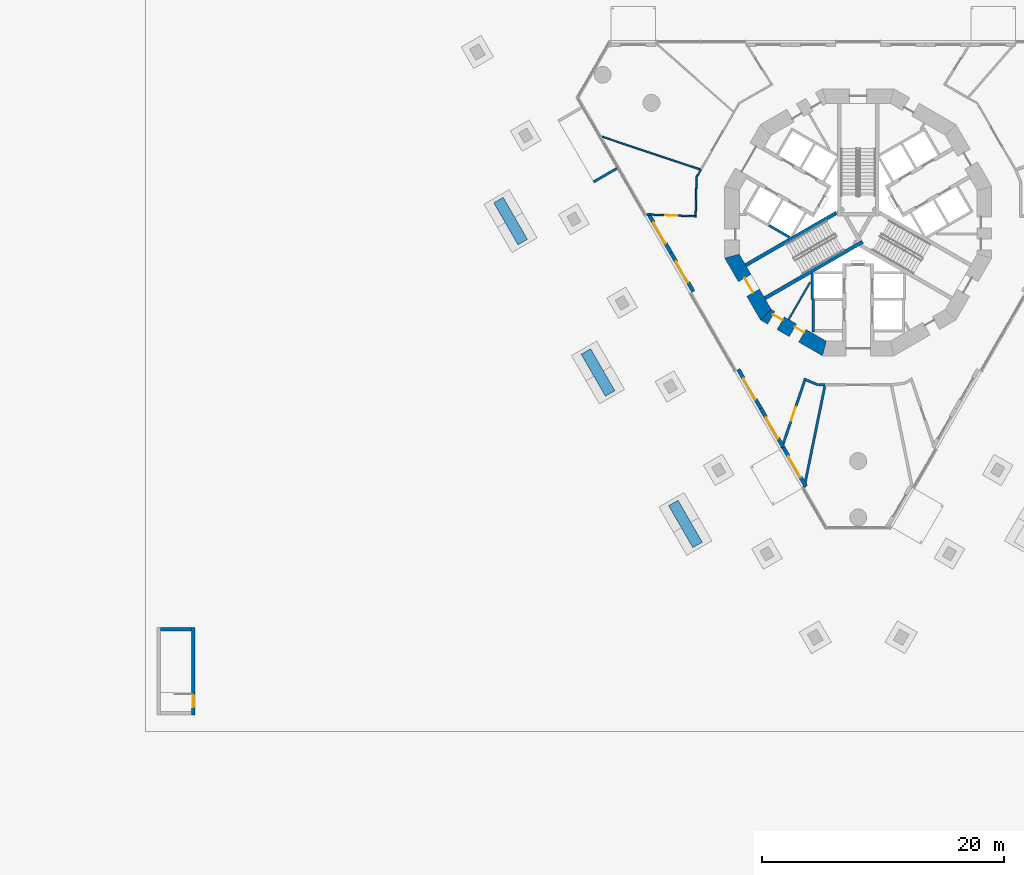
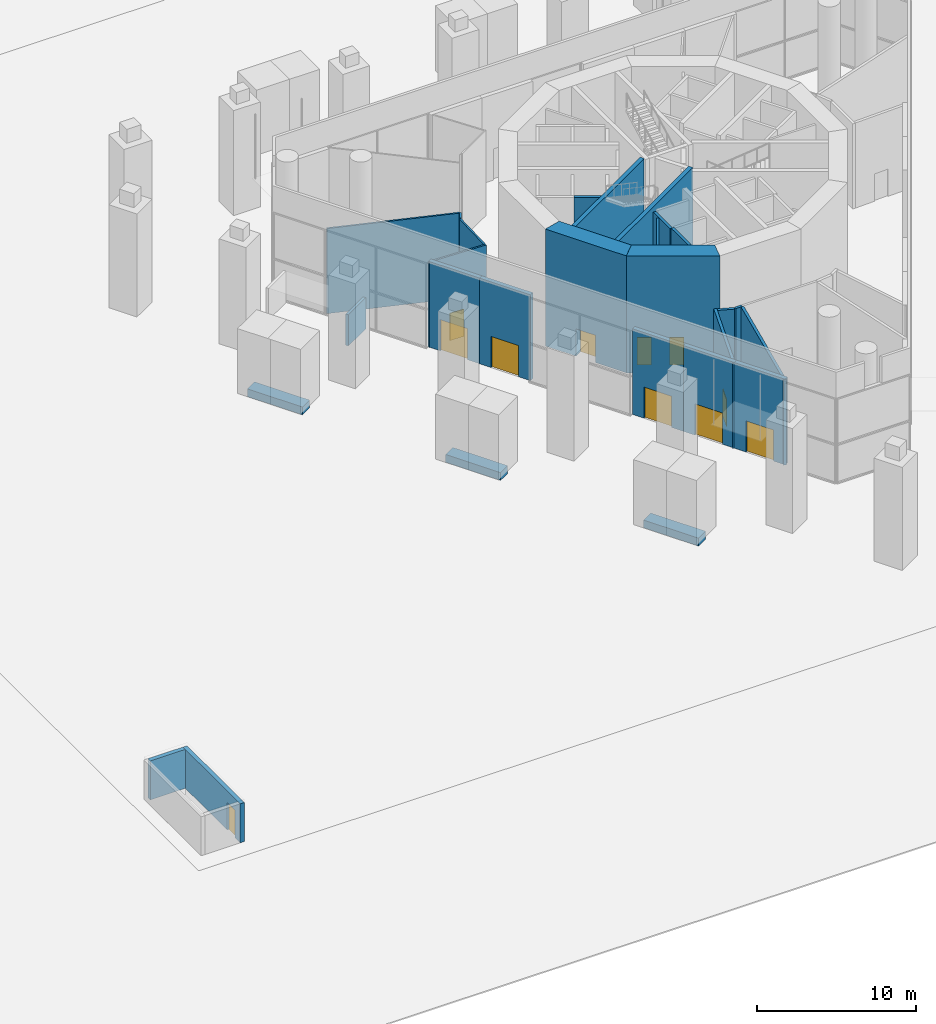
# One storey, part 6 of 26: 27 walls, 11 doors, 11 openings.
"""IFC4 building model written with IfcOpenShell, lengths in metres."""

import ifcopenshell
import ifcopenshell.guid

model = None  # the IFC model being written
_history = None  # IfcOwnerHistory: only IFC2X3 demands one
_inside = {}  # id of a spatial element -> (the spatial element, [elements in it])
_under = {}  # id of a project, library or spatial element -> (it, [spatial elements below it])
_declared = {}  # id of a project -> (the project, [libraries it declares])
_typed = {}  # id of a type object -> (the type object, [elements of that type])
_made_of = {}  # id of a material, layer set ... -> (it, [elements and type objects made of it])


def new_model(schema):
    """Start an empty IFC model of exactly this schema.

    Asked for "IFC4X3", IfcOpenShell would pick the latest addendum, in which some entities
    have other attributes; the version numbers below select the first issue.
    IFC2X3 requires an IfcOwnerHistory on every rooted entity: one is made here for all.
    """
    global model, _history
    if schema == "IFC4X3":
        model = ifcopenshell.file(schema_version=(4, 3, 0, 0))
    else:
        model = ifcopenshell.file(schema=schema)
    _inside.clear()
    _under.clear()
    _declared.clear()
    _typed.clear()
    _made_of.clear()
    _history = None
    if model.schema == "IFC2X3":
        org = make("IfcOrganization", Name="unknown")
        user = make(
            "IfcPersonAndOrganization",
            ThePerson=make("IfcPerson", FamilyName="unknown"),
            TheOrganization=org,
        )
        app = make(
            "IfcApplication",
            ApplicationDeveloper=org,
            Version="unknown",
            ApplicationFullName="unknown",
            ApplicationIdentifier="unknown",
        )
        _history = make(
            "IfcOwnerHistory",
            OwningUser=user,
            OwningApplication=app,
            ChangeAction="ADDED",
            CreationDate=0,
        )
    return model


def make(cls, **values):
    """One entity of the class cls with the attributes given. An attribute that is None is left unset."""
    return model.create_entity(
        cls, **{name: value for name, value in values.items() if value is not None}
    )


def rooted(cls, **values):
    """An entity with a GlobalId (a new one), such as an element, a storey or a relation."""
    return make(cls, GlobalId=ifcopenshell.guid.new(), OwnerHistory=_history, **values)


def si_unit(unit_type, name, prefix=None):
    """IfcSIUnit, for example si_unit("LENGTHUNIT", "METRE", prefix="MILLI")."""
    return make("IfcSIUnit", UnitType=unit_type, Prefix=prefix, Name=name)


def assignment(units):
    """IfcUnitAssignment: the units of a project."""
    return None if units is None else make("IfcUnitAssignment", Units=units)


def point(xyz):
    """IfcCartesianPoint."""
    return None if xyz is None else make("IfcCartesianPoint", Coordinates=xyz)


def direction(xyz):
    """IfcDirection."""
    return None if xyz is None else make("IfcDirection", DirectionRatios=xyz)


def frame(location, z_axis=None, x_axis=None):
    """IfcAxis2Placement3D, a coordinate frame: its origin and axes. An axis left out is left unset."""
    return make(
        "IfcAxis2Placement3D",
        Location=point(location),
        Axis=direction(z_axis),
        RefDirection=direction(x_axis),
    )


def frame_2d(location, x_axis=None):
    """IfcAxis2Placement2D, a coordinate frame in the plane: its origin and x axis."""
    return make(
        "IfcAxis2Placement2D", Location=point(location), RefDirection=direction(x_axis)
    )


def origin():
    """The frame at (0, 0, 0) with its axes left unset."""
    return frame((0.0, 0.0, 0.0))


def place(relative_to, where):
    """IfcLocalPlacement: puts the frame where relative to a parent placement (None: the world)."""
    return make(
        "IfcLocalPlacement", PlacementRelTo=relative_to, RelativePlacement=where
    )


def context(
    kind, dimensions, precision=None, world=None, true_north=None, identifier=None
):
    """IfcGeometricRepresentationContext, for example the 3D "Model" context."""
    return make(
        "IfcGeometricRepresentationContext",
        ContextIdentifier=identifier,
        ContextType=kind,
        CoordinateSpaceDimension=dimensions,
        Precision=precision,
        WorldCoordinateSystem=world,
        TrueNorth=true_north,
    )


def subcontext(parent, identifier, kind, view, scale=None):
    """IfcGeometricRepresentationSubContext, for example "Body" below "Model"."""
    return make(
        "IfcGeometricRepresentationSubContext",
        ContextIdentifier=identifier,
        ContextType=kind,
        ParentContext=parent,
        TargetScale=scale,
        TargetView=view,
    )


def project(units=None, contexts=None):
    """IfcProject with its units and contexts."""
    return rooted(
        "IfcProject",
        Name="project",
        RepresentationContexts=contexts,
        UnitsInContext=assignment(units),
    )


def spatial(cls, under=None, at=None, **own):
    """A site, building, storey or space (cls), placed at a placement, below another one or the project."""
    s = rooted(cls, ObjectPlacement=at, **own)
    if under is not None:
        _under.setdefault(under.id(), (under, []))[1].append(s)
    return s


def polyline(points):
    """IfcPolyline through the points."""
    return make("IfcPolyline", Points=[point(p) for p in points])


def profile(cls, at=None, kind="AREA", **sizes):
    """A parametric profile (cls). Its sizes go by their IFC names, for example OverallWidth=200.0."""
    return make(cls, ProfileType=kind, Position=at, **sizes)


def rectangle(**sizes):
    """IfcRectangleProfileDef."""
    return profile("IfcRectangleProfileDef", **sizes)


def outline(outer, holes=None, kind="AREA"):
    """IfcArbitraryClosedProfileDef: a profile drawn as a closed curve; with holes, ...WithVoids."""
    if holes is None:
        return make("IfcArbitraryClosedProfileDef", ProfileType=kind, OuterCurve=outer)
    return make(
        "IfcArbitraryProfileDefWithVoids",
        ProfileType=kind,
        OuterCurve=outer,
        InnerCurves=holes,
    )


def extrude(swept, where, along, depth):
    """IfcExtrudedAreaSolid: the profile swept, set in the frame where, extruded along a direction by depth."""
    return make(
        "IfcExtrudedAreaSolid",
        SweptArea=swept,
        Position=where,
        ExtrudedDirection=direction(along),
        Depth=depth,
    )


def shape(context_of_items, identifier, shape_type, items):
    """IfcShapeRepresentation: the items that make up one representation, for example the "Body"."""
    return make(
        "IfcShapeRepresentation",
        ContextOfItems=context_of_items,
        RepresentationIdentifier=identifier,
        RepresentationType=shape_type,
        Items=items,
    )


def material(Name=None, Category=None):
    """IfcMaterial."""
    return make("IfcMaterial", Name=Name, Category=Category)


def layer(
    of_material, thickness, ventilated=None, Name=None, Category=None, Priority=None
):
    """IfcMaterialLayer: one layer of a wall or slab, of a material (None: an air gap)."""
    return make(
        "IfcMaterialLayer",
        Material=of_material,
        LayerThickness=thickness,
        IsVentilated=ventilated,
        Name=Name,
        Category=Category,
        Priority=Priority,
    )


def layer_set(layers, Name=None):
    """IfcMaterialLayerSet."""
    return make("IfcMaterialLayerSet", MaterialLayers=layers, LayerSetName=Name)


def made_of(thing, what):
    """Note that an element or type object is made of a material, layer set ...; save() writes the relation."""
    if what is not None:
        _made_of.setdefault(what.id(), (what, []))[1].append(thing)
    return thing


def type_object(cls, material=None, **own):
    """A type object (cls), such as IfcWallType, which elements share."""
    return made_of(rooted(cls, **own), material)


def element(
    cls,
    number,
    at=None,
    inside=None,
    cuts=None,
    type_object=None,
    material=None,
    context=None,
    identifier="Body",
    shape_type=None,
    held_by="IfcProductDefinitionShape",
    body=None,
    shapes=None,
    **own,
):
    """One element of the class cls, such as IfcWall. Its Tag is "e" and its number.

    at: its placement. inside: the storey or other place that contains it. cuts: it is an
    opening in that element (IfcRelVoidsElement). A single representation is given by context,
    identifier, shape_type and body (its items); several are given by shapes. held_by: the class
    of the entity that holds the representations. save() writes the other relations.
    """
    e = rooted(cls, Tag="e%d" % number, ObjectPlacement=at, **own)
    if body is not None:
        shapes = [shape(context, identifier, shape_type, body)]
    if shapes is not None:
        e.Representation = make(held_by, Representations=shapes)
    if inside is not None:
        _inside.setdefault(inside.id(), (inside, []))[1].append(e)
    if cuts is not None:
        rooted(
            "IfcRelVoidsElement", RelatingBuildingElement=cuts, RelatedOpeningElement=e
        )
    if type_object is not None:
        _typed.setdefault(type_object.id(), (type_object, []))[1].append(e)
    return made_of(e, material)


def fill(opening, filler):
    """IfcRelFillsElement: the door or window that sits in an opening."""
    return rooted(
        "IfcRelFillsElement",
        RelatingOpeningElement=opening,
        RelatedBuildingElement=filler,
    )


def aggregate(whole, parts):
    """IfcRelAggregates: a whole, such as a stair, and the parts it consists of."""
    return rooted("IfcRelAggregates", RelatingObject=whole, RelatedObjects=parts)


def save(model, path):
    """Write the relations noted so far, then the file.

    IfcRelAggregates (storeys below a building ...), IfcRelContainedInSpatialStructure (elements
    in a storey), IfcRelDefinesByType, IfcRelAssociatesMaterial and IfcRelDeclares: one each for
    every whole, place, type object, material and project.
    """
    for whole, parts in _under.values():
        aggregate(whole, parts)
    for where, things in _inside.values():
        rooted(
            "IfcRelContainedInSpatialStructure",
            RelatedElements=things,
            RelatingStructure=where,
        )
    for kind, things in _typed.values():
        rooted("IfcRelDefinesByType", RelatedObjects=things, RelatingType=kind)
    for what, things in _made_of.values():
        rooted("IfcRelAssociatesMaterial", RelatedObjects=things, RelatingMaterial=what)
    for by, libraries in _declared.values():
        rooted("IfcRelDeclares", RelatingContext=by, RelatedDefinitions=libraries)
    model.write(path)


model = new_model("IFC4")

# Units and contexts
model_context = context("Model", 3, precision=1e-05, world=origin(), true_north=direction((0.0, 1.0)))
body_context = subcontext(model_context, "Body", "Model", "MODEL_VIEW")
ifc_project = project(units=[si_unit("LENGTHUNIT", "METRE"), si_unit("AREAUNIT", "SQUARE_METRE"), si_unit("VOLUMEUNIT", "CUBIC_METRE"), si_unit("PLANEANGLEUNIT", "RADIAN"), si_unit("MASSUNIT", "GRAM", prefix="KILO")], contexts=[model_context])

# Site, building, storey
site_placement = place(None, origin())
site = spatial("IfcSite", under=ifc_project, at=site_placement, CompositionType="ELEMENT")
building_placement = place(site_placement, origin())
building = spatial("IfcBuilding", under=site, at=building_placement, Name="Trine Commons Tower", CompositionType="ELEMENT")
storey_placement = place(building_placement, origin())
storey = spatial("IfcBuildingStorey", under=building, at=storey_placement, Name="L00", CompositionType="ELEMENT", Elevation=0.0)

# Walls
ifc_material_1 = material(Name="Plasterboard partition on steel studs", Category="steel")
ifc_layer_1 = layer(ifc_material_1, 0.14990234375)
ifc_layer_set_1 = layer_set([ifc_layer_1], Name="Plasterboard partition on steel studs")
wall_type_1 = type_object("IfcWallType", Name="Core room partition 150 mm, EI 60", PredefinedType="PARTITIONING", material=ifc_layer_set_1)
wall_1_placement = place(storey_placement, frame((74.260986328125, 54.48388671875, 0.0), z_axis=(0.0, 0.0, 1.0), x_axis=(0.500062019353, 0.865989593933, 0.0)))
element("IfcWall", 1, at=wall_1_placement, inside=storey, type_object=wall_type_1, Name="Core room partition L00", PredefinedType="PARTITIONING", context=body_context, shape_type="SweptSolid", body=[
    extrude(rectangle(XDim=3.54736328125, YDim=0.14990234375, at=frame_2d((1.773681640625, 0.0))), origin(), (0.0, 0.0, 1.0), 8.60009765625),
])
ifc_material_2 = material(Name="Perforated precast concrete C40/50", Category="concrete")
ifc_layer_2 = layer(ifc_material_2, 0.199951171875)
ifc_layer_set_2 = layer_set([ifc_layer_2], Name="Perforated precast concrete C40/50")
wall_type_2 = type_object("IfcWallType", Name="Cycle shelter screen wall 200", PredefinedType="SOLIDWALL", material=ifc_layer_set_2)
wall_2_placement = place(storey_placement, frame((60.07958984375, 66.93408203125, 0.0), z_axis=(0.0, 0.0, 1.0), x_axis=(-0.86605622881, -0.499946605688, 0.0)))
element("IfcWall", 2, at=wall_2_placement, inside=storey, type_object=wall_type_2, Name="Cycle shelter 1 screen 1", PredefinedType="SOLIDWALL", context=body_context, shape_type="SweptSolid", body=[
    extrude(rectangle(XDim=2.199951171875, YDim=0.199951171875, at=frame_2d((1.10009765625, 0.0))), origin(), (0.0, 0.0, 1.0), 2.39990234375),
])

# Wall, opening, door
ifc_material_3 = material(Name="Stone-clad concrete C40/50", Category="masonry")
ifc_layer_3 = layer(ifc_material_3, 0.300048828125)
ifc_layer_set_3 = layer_set([ifc_layer_3], Name="Stone-clad concrete C40/50")
wall_type_3 = type_object("IfcWallType", Name="Entrance portal wall 300 mm, stone-clad concrete", PredefinedType="SOLIDWALL", material=ifc_layer_set_3)
wall_3_placement = place(storey_placement, frame((73.820556640625, 43.933837890625, 0.0), z_axis=(0.0, 0.0, 1.0), x_axis=(-0.499988210251, 0.866032210492, 0.0)))
wall_3 = element("IfcWall", 3, at=wall_3_placement, inside=storey, type_object=wall_type_3, Name="Entrance portal X9", PredefinedType="SOLIDWALL", context=body_context, shape_type="SweptSolid", body=[
    extrude(rectangle(XDim=3.7109375, YDim=0.300048828125, at=frame_2d((1.85546875, 0.0))), origin(), (0.0, 0.0, 1.0), 6.60009765625),
])
opening_1_placement = place(wall_3_placement, frame((0.855712890625, 0.0, 0.0)))
opening_1 = element("IfcOpeningElement", 4, at=opening_1_placement, cuts=wall_3, Name="Opening D-G0X9", PredefinedType="OPENING", context=body_context, shape_type="SweptSolid", body=[
    extrude(rectangle(XDim=2.0, YDim=2.39990234375, at=frame_2d((1.0, 1.199951171875))), frame((0.0, 0.159912109375, 0.0), z_axis=(0.0, -1.0, 0.0), x_axis=(1.0, 0.0, 0.0)), (0.0, 0.0, 1.0), 0.320068359375),
])
ifc_material_4 = material(Name="Painted timber", Category="wood")
door_type_1 = type_object("IfcDoorType", Name="Double swing door 2000x2400, not rated", OperationType="DOUBLE_DOOR_DOUBLE_SWING", PredefinedType="DOOR", material=ifc_material_4)
door_1_placement = place(opening_1_placement, origin())
door_1 = element("IfcDoor", 5, at=door_1_placement, inside=storey, type_object=door_type_1, Name="Door D-G0X9", OperationType="DOUBLE_DOOR_DOUBLE_SWING", OverallHeight=2.39990234375, OverallWidth=2.0, PredefinedType="DOOR", context=body_context, shape_type="SweptSolid", body=[
    extrude(rectangle(XDim=2.0, YDim=2.39990234375, at=frame_2d((1.0, 1.199951171875))), frame((0.0, 0.02490234375, 0.0), z_axis=(0.0, -1.0, 0.0), x_axis=(1.0, 0.0, 0.0)), (0.0, 0.0, 1.0), 0.050048828125),
])
fill(opening_1, door_1)

wall_4_placement = place(storey_placement, frame((71.965087890625, 47.147705078125, 0.0), z_axis=(0.0, 0.0, 1.0), x_axis=(-0.500009063391, 0.86602017097, 0.0)))
wall_4 = element("IfcWall", 6, at=wall_4_placement, inside=storey, type_object=wall_type_3, Name="Entrance portal X10", PredefinedType="SOLIDWALL", context=body_context, shape_type="SweptSolid", body=[
    extrude(rectangle(XDim=3.71142578125, YDim=0.300048828125, at=frame_2d((1.855712890625, 0.0))), origin(), (0.0, 0.0, 1.0), 6.60009765625),
])
opening_2_placement = place(wall_4_placement, frame((0.855712890625, 0.0, 0.0)))
opening_2 = element("IfcOpeningElement", 7, at=opening_2_placement, cuts=wall_4, Name="Opening D-G0X10", PredefinedType="OPENING", context=body_context, shape_type="SweptSolid", body=[
    extrude(rectangle(XDim=2.0, YDim=2.39990234375, at=frame_2d((1.0, 1.199951171875))), frame((0.0, 0.159912109375, 0.0), z_axis=(0.0, -1.0, 0.0), x_axis=(1.0, 0.0, 0.0)), (0.0, 0.0, 1.0), 0.320068359375),
])
door_2_placement = place(opening_2_placement, origin())
door_2 = element("IfcDoor", 8, at=door_2_placement, inside=storey, type_object=door_type_1, Name="Door D-G0X10", OperationType="DOUBLE_DOOR_DOUBLE_SWING", OverallHeight=2.39990234375, OverallWidth=2.0, PredefinedType="DOOR", context=body_context, shape_type="SweptSolid", body=[
    extrude(rectangle(XDim=2.0, YDim=2.39990234375, at=frame_2d((1.0, 1.199951171875))), frame((0.0, 0.02490234375, 0.0), z_axis=(0.0, -1.0, 0.0), x_axis=(1.0, 0.0, 0.0)), (0.0, 0.0, 1.0), 0.050048828125),
])
fill(opening_2, door_2)

wall_5_placement = place(storey_placement, frame((66.398193359375, 56.789794921875, 0.0), z_axis=(0.0, 0.0, 1.0), x_axis=(-0.499988210251, 0.866032210492, 0.0)))
wall_5 = element("IfcWall", 9, at=wall_5_placement, inside=storey, type_object=wall_type_3, Name="Entrance portal X11", PredefinedType="SOLIDWALL", context=body_context, shape_type="SweptSolid", body=[
    extrude(rectangle(XDim=3.7109375, YDim=0.300048828125, at=frame_2d((1.85546875, 0.0))), origin(), (0.0, 0.0, 1.0), 6.60009765625),
])
opening_3_placement = place(wall_5_placement, frame((0.855712890625, 0.0, 0.0)))
opening_3 = element("IfcOpeningElement", 10, at=opening_3_placement, cuts=wall_5, Name="Opening D-G0X11", PredefinedType="OPENING", context=body_context, shape_type="SweptSolid", body=[
    extrude(rectangle(XDim=2.0, YDim=2.39990234375, at=frame_2d((1.0, 1.199951171875))), frame((0.0, 0.159912109375, 0.0), z_axis=(0.0, -1.0, 0.0), x_axis=(1.0, 0.0, 0.0)), (0.0, 0.0, 1.0), 0.320068359375),
])
door_3_placement = place(opening_3_placement, origin())
door_3 = element("IfcDoor", 11, at=door_3_placement, inside=storey, type_object=door_type_1, Name="Door D-G0X11", OperationType="DOUBLE_DOOR_DOUBLE_SWING", OverallHeight=2.39990234375, OverallWidth=2.0, PredefinedType="DOOR", context=body_context, shape_type="SweptSolid", body=[
    extrude(rectangle(XDim=2.0, YDim=2.39990234375, at=frame_2d((1.0, 1.199951171875))), frame((0.0, 0.02490234375, 0.0), z_axis=(0.0, -1.0, 0.0), x_axis=(1.0, 0.0, 0.0)), (0.0, 0.0, 1.0), 0.050048828125),
])
fill(opening_3, door_3)

wall_6_placement = place(storey_placement, frame((64.542724609375, 60.003662109375, 0.0), z_axis=(0.0, 0.0, 1.0), x_axis=(-0.500009063391, 0.86602017097, 0.0)))
wall_6 = element("IfcWall", 12, at=wall_6_placement, inside=storey, type_object=wall_type_3, Name="Entrance portal X12", PredefinedType="SOLIDWALL", context=body_context, shape_type="SweptSolid", body=[
    extrude(rectangle(XDim=3.71142578125, YDim=0.300048828125, at=frame_2d((1.855712890625, 0.0))), origin(), (0.0, 0.0, 1.0), 6.60009765625),
])
opening_4_placement = place(wall_6_placement, frame((0.855712890625, 0.0, 0.0)))
opening_4 = element("IfcOpeningElement", 13, at=opening_4_placement, cuts=wall_6, Name="Opening D-G0X12", PredefinedType="OPENING", context=body_context, shape_type="SweptSolid", body=[
    extrude(rectangle(XDim=2.0, YDim=2.39990234375, at=frame_2d((1.0, 1.199951171875))), frame((0.0, 0.159912109375, 0.0), z_axis=(0.0, -1.0, 0.0), x_axis=(1.0, 0.0, 0.0)), (0.0, 0.0, 1.0), 0.320068359375),
])
door_4_placement = place(opening_4_placement, origin())
door_4 = element("IfcDoor", 14, at=door_4_placement, inside=storey, type_object=door_type_1, Name="Door D-G0X12", OperationType="DOUBLE_DOOR_DOUBLE_SWING", OverallHeight=2.39990234375, OverallWidth=2.0, PredefinedType="DOOR", context=body_context, shape_type="SweptSolid", body=[
    extrude(rectangle(XDim=2.0, YDim=2.39990234375, at=frame_2d((1.0, 1.199951171875))), frame((0.0, 0.02490234375, 0.0), z_axis=(0.0, -1.0, 0.0), x_axis=(1.0, 0.0, 0.0)), (0.0, 0.0, 1.0), 0.050048828125),
])
fill(opening_4, door_4)

wall_7_placement = place(storey_placement, frame((75.67626953125, 40.7197265625, 0.0), z_axis=(0.0, 0.0, 1.0), x_axis=(-0.500009063391, 0.86602017097, 0.0)))
wall_7 = element("IfcWall", 15, at=wall_7_placement, inside=storey, type_object=wall_type_3, Name="Entrance portal E3", PredefinedType="SOLIDWALL", context=body_context, shape_type="SweptSolid", body=[
    extrude(rectangle(XDim=3.71142578125, YDim=0.300048828125, at=frame_2d((1.855712890625, 0.0))), origin(), (0.0, 0.0, 1.0), 6.60009765625),
])
opening_5_placement = place(wall_7_placement, frame((0.855712890625, 0.0, 0.0)))
opening_5 = element("IfcOpeningElement", 16, at=opening_5_placement, cuts=wall_7, Name="Opening D-G0E3", PredefinedType="OPENING", context=body_context, shape_type="SweptSolid", body=[
    extrude(rectangle(XDim=2.0, YDim=2.39990234375, at=frame_2d((1.0, 1.199951171875))), frame((0.0, 0.159912109375, 0.0), z_axis=(0.0, -1.0, 0.0), x_axis=(1.0, 0.0, 0.0)), (0.0, 0.0, 1.0), 0.320068359375),
])
door_5_placement = place(opening_5_placement, origin())
door_5 = element("IfcDoor", 17, at=door_5_placement, inside=storey, type_object=door_type_1, Name="Door D-G0E3", OperationType="DOUBLE_DOOR_DOUBLE_SWING", OverallHeight=2.39990234375, OverallWidth=2.0, PredefinedType="DOOR", context=body_context, shape_type="SweptSolid", body=[
    extrude(rectangle(XDim=2.0, YDim=2.39990234375, at=frame_2d((1.0, 1.199951171875))), frame((0.0, 0.02490234375, 0.0), z_axis=(0.0, -1.0, 0.0), x_axis=(1.0, 0.0, 0.0)), (0.0, 0.0, 1.0), 0.050048828125),
])
fill(opening_5, door_5)

ifc_material_5 = material(Name="Plasterboard on steel stud", Category="steel")
ifc_layer_4 = layer(ifc_material_5, 0.199951171875)
ifc_layer_set_4 = layer_set([ifc_layer_4], Name="Plasterboard on steel stud")
wall_type_4 = type_object("IfcWallType", Name="Fire wall 200 mm, EI 120", PredefinedType="PARTITIONING", material=ifc_layer_set_4)
wall_8_placement = place(storey_placement, frame((75.6474609375, 49.639892578125, 0.0), z_axis=(0.0, 0.0, 1.0), x_axis=(-0.320616604266, -0.947209054575, 0.0)))
wall_8 = element("IfcWall", 18, at=wall_8_placement, inside=storey, type_object=wall_type_4, Name="Partition G0009", PredefinedType="PARTITIONING", context=body_context, shape_type="SweptSolid", body=[
    extrude(rectangle(XDim=6.103271484375, YDim=0.199951171875, at=frame_2d((3.0517578125, 0.0))), origin(), (0.0, 0.0, 1.0), 6.550048828125),
])
opening_6_placement = place(wall_8_placement, frame((2.501708984375, 0.0, 0.0)))
opening_6 = element("IfcOpeningElement", 19, at=opening_6_placement, cuts=wall_8, Name="Opening D-G004", PredefinedType="OPENING", context=body_context, shape_type="SweptSolid", body=[
    extrude(rectangle(XDim=1.199951171875, YDim=2.10009765625, at=frame_2d((0.60009765625, 1.050048828125))), frame((0.0, 0.10986328125, 0.0), z_axis=(0.0, -1.0, 0.0), x_axis=(1.0, 0.0, 0.0)), (0.0, 0.0, 1.0), 0.219970703125),
])
ifc_material_6 = material(Name="Timber fire door set", Category="wood")
door_type_2 = type_object("IfcDoorType", Name="Single swing door 1200x2100, FD60", OperationType="SINGLE_SWING_LEFT", PredefinedType="DOOR", material=ifc_material_6)
door_6_placement = place(opening_6_placement, origin())
door_6 = element("IfcDoor", 20, at=door_6_placement, inside=storey, type_object=door_type_2, Name="Door D-G004", OperationType="SINGLE_SWING_LEFT", OverallHeight=2.10009765625, OverallWidth=1.199951171875, PredefinedType="DOOR", context=body_context, shape_type="SweptSolid", body=[
    extrude(rectangle(XDim=1.199951171875, YDim=2.10009765625, at=frame_2d((0.60009765625, 1.050048828125))), frame((0.0, 0.02490234375, 0.0), z_axis=(0.0, -1.0, 0.0), x_axis=(1.0, 0.0, 0.0)), (0.0, 0.0, 1.0), 0.050048828125),
])
fill(opening_6, door_6)

# Walls
wall_9_placement = place(storey_placement, frame((75.54638671875, 40.644775390625, 0.0), z_axis=(0.0, 0.0, 1.0), x_axis=(0.199657627891, 0.979865721221, 0.0)))
element("IfcWall", 21, at=wall_9_placement, inside=storey, type_object=wall_type_4, Name="Partition G0010", PredefinedType="PARTITIONING", context=body_context, shape_type="SweptSolid", body=[
    extrude(rectangle(XDim=8.494873046875, YDim=0.199951171875, at=frame_2d((4.24755859375, 0.0))), origin(), (0.0, 0.0, 1.0), 6.550048828125),
])
wall_10_placement = place(storey_placement, frame((75.720703125, 49.484375, 0.0), z_axis=(0.0, 0.0, 1.0), x_axis=(0.924574178559, -0.381002084432, 0.0)))
element("IfcWall", 22, at=wall_10_placement, inside=storey, type_object=wall_type_4, Name="Partition G0011", PredefinedType="PARTITIONING", context=body_context, shape_type="SweptSolid", body=[
    extrude(rectangle(XDim=1.07080078125, YDim=0.199951171875, at=frame_2d((0.535400390625, 0.0))), origin(), (0.0, 0.0, 1.0), 6.550048828125),
])
wall_11_placement = place(storey_placement, frame((76.779541015625, 49.08837890625, 0.0), z_axis=(0.0, 0.0, 1.0), x_axis=(1.0, 0.0, 0.0)))
element("IfcWall", 23, at=wall_11_placement, inside=storey, type_object=wall_type_4, Name="Partition G0012", PredefinedType="PARTITIONING", context=body_context, shape_type="SweptSolid", body=[
    extrude(rectangle(XDim=0.487548828125, YDim=0.199951171875, at=frame_2d((0.24365234375, 0.0))), origin(), (0.0, 0.0, 1.0), 6.550048828125),
])
ifc_material_7 = material(Name="Planter trough, precast concrete C40/50", Category="concrete")
ifc_layer_5 = layer(ifc_material_7, 0.89990234375)
ifc_layer_set_5 = layer_set([ifc_layer_5], Name="Planter trough, precast concrete C40/50")
wall_type_5 = type_object("IfcWallType", Name="Planter trough 900x600", PredefinedType="PARAPET", material=ifc_layer_set_5)
wall_12_placement = place(storey_placement, frame((66.748779296875, 35.882568359375, 0.0), z_axis=(0.0, 0.0, 1.0), x_axis=(-0.49999894854, 0.866026010844, 0.0)))
element("IfcWall", 24, at=wall_12_placement, inside=storey, type_object=wall_type_5, Name="Plaza planter 7", PredefinedType="PARAPET", context=body_context, shape_type="SweptSolid", body=[
    extrude(rectangle(XDim=4.0, YDim=0.89990234375, at=frame_2d((2.0, 0.0))), origin(), (0.0, 0.0, 1.0), 0.60009765625),
])
wall_13_placement = place(storey_placement, frame((59.535888671875, 48.375732421875, 0.0), z_axis=(0.0, 0.0, 1.0), x_axis=(-0.50002537861, 0.866010750942, 0.0)))
element("IfcWall", 25, at=wall_13_placement, inside=storey, type_object=wall_type_5, Name="Plaza planter 8", PredefinedType="PARAPET", context=body_context, shape_type="SweptSolid", body=[
    extrude(rectangle(XDim=3.999755859375, YDim=0.89990234375, at=frame_2d((2.0, 0.0))), origin(), (0.0, 0.0, 1.0), 0.60009765625),
])
wall_14_placement = place(storey_placement, frame((52.322998046875, 60.868896484375, 0.0), z_axis=(0.0, 0.0, 1.0), x_axis=(-0.49999894854, 0.866026010844, 0.0)))
element("IfcWall", 26, at=wall_14_placement, inside=storey, type_object=wall_type_5, Name="Plaza planter 9", PredefinedType="PARAPET", context=body_context, shape_type="SweptSolid", body=[
    extrude(rectangle(XDim=4.0, YDim=0.89990234375, at=frame_2d((2.0, 0.0))), origin(), (0.0, 0.0, 1.0), 0.60009765625),
])

# Wall, opening, door
ifc_material_8 = material(Name="Concrete C80/95", Category="concrete")
ifc_layer_6 = layer(ifc_material_8, 1.199951171875)
ifc_layer_set_6 = layer_set([ifc_layer_6], Name="Concrete C80/95")
wall_type_6 = type_object("IfcWallType", Name="RC shear wall 1200 mm, C80/95", PredefinedType="SHEAR", material=ifc_layer_set_6)
wall_15_placement = place(storey_placement, frame((69.508056640625, 59.849609375, 0.0), z_axis=(0.0, 0.0, 1.0), x_axis=(0.499979111662, -0.866037463336, 0.0)))
wall_15 = element("IfcWall", 27, at=wall_15_placement, inside=storey, type_object=wall_type_6, Name="Core wall CWA-08 L00", PredefinedType="SHEAR", context=body_context, shape_type="SweptSolid", body=[
    extrude(outline(polyline([(0.0, -0.60009765625), (5.901123046875, -0.60009765625), (5.57958984375, 0.60009765625), (0.321533203125, 0.60009765625), (0.0, -0.60009765625)])), origin(), (0.0, 0.0, 1.0), 9.0),
])
opening_7_placement = place(wall_15_placement, frame((2.25048828125, 0.0, 0.0)))
opening_7 = element("IfcOpeningElement", 28, at=opening_7_placement, cuts=wall_15, Name="Opening K03.02", PredefinedType="OPENING", context=body_context, shape_type="SweptSolid", body=[
    extrude(rectangle(XDim=1.39990234375, YDim=2.10009765625, at=frame_2d((0.699951171875, 1.050048828125))), frame((0.0, 0.60986328125, 0.0), z_axis=(0.0, -1.0, 0.0), x_axis=(1.0, 0.0, 0.0)), (0.0, 0.0, 1.0), 1.219970703125),
])
ifc_material_9 = material(Name="Steel door leaves, fire-rated", Category="steel")
door_type_3 = type_object("IfcDoorType", Name="Stair door, double leaf 1400 x 2100, FD90", OperationType="DOUBLE_DOOR_SINGLE_SWING", PredefinedType="DOOR", material=ifc_material_9)
door_7_placement = place(opening_7_placement, origin())
door_7 = element("IfcDoor", 29, at=door_7_placement, inside=storey, type_object=door_type_3, Name="Stair door to Exit stair ST2A L00", OperationType="DOUBLE_DOOR_SINGLE_SWING", OverallHeight=2.10009765625, OverallWidth=1.39990234375, PredefinedType="DOOR", context=body_context, shape_type="SweptSolid", body=[
    extrude(rectangle(XDim=1.39990234375, YDim=2.10009765625, at=frame_2d((0.699951171875, 1.050048828125))), frame((0.0, 0.02490234375, 0.0), z_axis=(0.0, -1.0, 0.0), x_axis=(1.0, 0.0, 0.0)), (0.0, 0.0, 1.0), 0.050048828125),
])
fill(opening_7, door_7)

# Wall, openings, doors
wall_16_placement = place(storey_placement, frame((72.239013671875, 54.95849609375, 0.0), z_axis=(0.0, 0.0, 1.0), x_axis=(0.866037463336, -0.499979111662, 0.0)))
wall_16 = element("IfcWall", 30, at=wall_16_placement, inside=storey, type_object=wall_type_6, Name="Core wall CWA-09 L00", PredefinedType="SHEAR", context=body_context, shape_type="SweptSolid", body=[
    extrude(outline(polyline([(0.0, -0.60009765625), (5.901123046875, -0.60009765625), (5.57958984375, 0.60009765625), (0.321533203125, 0.60009765625), (0.0, -0.60009765625)])), origin(), (0.0, 0.0, 1.0), 9.0),
])
opening_8_placement = place(wall_16_placement, frame((0.676513671875, 0.0, 0.0)))
opening_8 = element("IfcOpeningElement", 31, at=opening_8_placement, cuts=wall_16, Name="Opening K03.15", PredefinedType="OPENING", context=body_context, shape_type="SweptSolid", body=[
    extrude(rectangle(XDim=0.89990234375, YDim=2.10009765625, at=frame_2d((0.449951171875, 1.050048828125))), frame((0.0, 0.60986328125, 0.0), z_axis=(0.0, -1.0, 0.0), x_axis=(1.0, 0.0, 0.0)), (0.0, 0.0, 1.0), 1.219970703125),
])
opening_9_placement = place(wall_16_placement, frame((2.738525390625, 0.0, 0.0)))
opening_9 = element("IfcOpeningElement", 32, at=opening_9_placement, cuts=wall_16, Name="Opening K03.16", PredefinedType="OPENING", context=body_context, shape_type="SweptSolid", body=[
    extrude(rectangle(XDim=0.89990234375, YDim=2.10009765625, at=frame_2d((0.449951171875, 1.050048828125))), frame((0.0, 0.60986328125, 0.0), z_axis=(0.0, -1.0, 0.0), x_axis=(1.0, 0.0, 0.0)), (0.0, 0.0, 1.0), 1.219970703125),
])
ifc_material_10 = material(Name="Steel door leaf, fire-rated", Category="steel")
door_type_4 = type_object("IfcDoorType", Name="Core room door, single leaf 900 x 2100, FD30S", OperationType="SINGLE_SWING_LEFT", PredefinedType="DOOR", material=ifc_material_10)
door_8_placement = place(opening_8_placement, origin())
door_8 = element("IfcDoor", 33, at=door_8_placement, inside=storey, type_object=door_type_4, Name="Door to Cleaner's store L00", OperationType="SINGLE_SWING_LEFT", OverallHeight=2.10009765625, OverallWidth=0.89990234375, PredefinedType="DOOR", context=body_context, shape_type="SweptSolid", body=[
    extrude(rectangle(XDim=0.89990234375, YDim=2.10009765625, at=frame_2d((0.449951171875, 1.050048828125))), frame((0.0, 0.3251953125, 0.0), z_axis=(0.0, -1.0, 0.0), x_axis=(1.0, 0.0, 0.0)), (0.0, 0.0, 1.0), 0.050048828125),
])
fill(opening_8, door_8)
door_9_placement = place(opening_9_placement, origin())
door_9 = element("IfcDoor", 34, at=door_9_placement, inside=storey, type_object=door_type_4, Name="Door to Accessible WC L00", OperationType="SINGLE_SWING_RIGHT", OverallHeight=2.10009765625, OverallWidth=0.89990234375, PredefinedType="DOOR", context=body_context, shape_type="SweptSolid", body=[
    extrude(rectangle(XDim=0.89990234375, YDim=2.10009765625, at=frame_2d((0.449951171875, 1.050048828125))), frame((0.0, 0.3251953125, 0.0), z_axis=(0.0, -1.0, 0.0), x_axis=(1.0, 0.0, 0.0)), (0.0, 0.0, 1.0), 0.050048828125),
])
fill(opening_9, door_9)

# Walls
ifc_layer_7 = layer(ifc_material_8, 0.300048828125)
ifc_layer_set_7 = layer_set([ifc_layer_7], Name="Concrete C80/95")
wall_type_7 = type_object("IfcWallType", Name="RC shear wall 300 mm, C80/95", PredefinedType="SHEAR", material=ifc_layer_set_7)
wall_17_placement = place(storey_placement, frame((78.199951171875, 63.280029296875, 0.0), z_axis=(0.0, 0.0, 1.0), x_axis=(-0.865965399159, -0.500103916661, 0.0)))
element("IfcWall", 35, at=wall_17_placement, inside=storey, type_object=wall_type_7, Name="Core cross wall SWA-07 L00", PredefinedType="SHEAR", context=body_context, shape_type="SweptSolid", body=[
    extrude(rectangle(XDim=8.642333984375, YDim=0.300048828125, at=frame_2d((4.3212890625, 0.0))), origin(), (0.0, 0.0, 1.0), 9.0),
])
wall_18_placement = place(storey_placement, frame((80.35400390625, 60.885986328125, 0.0), z_axis=(0.0, 0.0, 1.0), x_axis=(-0.865986456211, -0.50006745311, 0.0)))
element("IfcWall", 36, at=wall_18_placement, inside=storey, type_object=wall_type_7, Name="Core cross wall SWA-14 L00", PredefinedType="SHEAR", context=body_context, shape_type="SweptSolid", body=[
    extrude(rectangle(XDim=9.310791015625, YDim=0.300048828125, at=frame_2d((4.6552734375, 0.0))), origin(), (0.0, 0.0, 1.0), 9.0),
])

# Wall, opening, door
ifc_material_11 = material(Name="Concrete C40/50", Category="concrete")
ifc_layer_8 = layer(ifc_material_11, 0.300048828125)
ifc_layer_set_8 = layer_set([ifc_layer_8], Name="Concrete C40/50")
wall_type_8 = type_object("IfcWallType", Name="RC stair enclosure wall 300 mm, C40/50", PredefinedType="SHEAR", material=ifc_layer_set_8)
wall_19_placement = place(storey_placement, frame((25.14990234375, 21.85009765625, 0.0), z_axis=(0.0, 0.0, 1.0), x_axis=(0.0, 1.0, 0.0)))
wall_19 = element("IfcWall", 37, at=wall_19_placement, inside=storey, type_object=wall_type_8, Name="Stair STB1 enclosure wall L00", PredefinedType="SHEAR", context=body_context, shape_type="SweptSolid", body=[
    extrude(rectangle(XDim=7.219970703125, YDim=0.300048828125, at=frame_2d((3.60986328125, 0.0))), origin(), (0.0, 0.0, 1.0), 3.0),
])
opening_10_placement = place(wall_19_placement, frame((0.64990234375, 0.0, 0.0)))
opening_10 = element("IfcOpeningElement", 38, at=opening_10_placement, cuts=wall_19, Name="Opening D-S03", PredefinedType="OPENING", context=body_context, shape_type="SweptSolid", body=[
    extrude(rectangle(XDim=1.0, YDim=2.10009765625, at=frame_2d((0.5, 1.050048828125))), frame((0.0, 0.159912109375, 0.0), z_axis=(0.0, -1.0, 0.0), x_axis=(1.0, 0.0, 0.0)), (0.0, 0.0, 1.0), 0.320068359375),
])
ifc_material_12 = material(Name="Steel fire door FD90S", Category="steel")
door_type_5 = type_object("IfcDoorType", Name="Fire door 1000 x 2100, FD90S", OperationType="SINGLE_SWING_LEFT", PredefinedType="DOOR", material=ifc_material_12)
door_10_placement = place(opening_10_placement, origin())
door_10 = element("IfcDoor", 39, at=door_10_placement, inside=storey, type_object=door_type_5, Name="Stair STB1 door L00", OperationType="SINGLE_SWING_LEFT", OverallHeight=2.10009765625, OverallWidth=1.0, PredefinedType="DOOR", context=body_context, shape_type="SweptSolid", body=[
    extrude(rectangle(XDim=1.0, YDim=2.10009765625, at=frame_2d((0.5, 1.050048828125))), frame((0.0, 0.02490234375, 0.0), z_axis=(0.0, -1.0, 0.0), x_axis=(1.0, 0.0, 0.0)), (0.0, 0.0, 1.0), 0.050048828125),
])
fill(opening_10, door_10)

# Walls
wall_20_placement = place(storey_placement, frame((25.0, 28.919921875, 0.0), z_axis=(0.0, 0.0, 1.0), x_axis=(-1.0, 0.0, 0.0)))
element("IfcWall", 40, at=wall_20_placement, inside=storey, type_object=wall_type_8, Name="Stair STB1 enclosure wall L00", PredefinedType="SHEAR", context=body_context, shape_type="SweptSolid", body=[
    extrude(rectangle(XDim=2.550048828125, YDim=0.300048828125, at=frame_2d((1.27490234375, 0.0))), origin(), (0.0, 0.0, 1.0), 3.0),
])
ifc_material_13 = material(Name="Fire-rated gypsum shaft wall system")
ifc_layer_9 = layer(ifc_material_13, 0.199951171875)
ifc_layer_set_9 = layer_set([ifc_layer_9], Name="Fire-rated gypsum shaft wall system")
wall_type_9 = type_object("IfcWallType", Name="Shaft wall 200 mm, EI 120", PredefinedType="PARTITIONING", material=ifc_layer_set_9)
wall_21_placement = place(storey_placement, frame((74.324951171875, 61.27294921875, 0.0), z_axis=(0.0, 0.0, 1.0), x_axis=(-0.865780634835, 0.500423712812, 0.0)))
element("IfcWall", 41, at=wall_21_placement, inside=storey, type_object=wall_type_9, Name="Shaft wall L00", PredefinedType="PARTITIONING", context=body_context, shape_type="SweptSolid", body=[
    extrude(rectangle(XDim=1.948486328125, YDim=0.199951171875, at=frame_2d((0.97412109375, 0.0))), origin(), (0.0, 0.0, 1.0), 8.60009765625),
])
wall_22_placement = place(storey_placement, frame((76.199951171875, 58.256103515625, 0.0), z_axis=(0.0, 0.0, 1.0), x_axis=(0.0, -1.0, 0.0)))
element("IfcWall", 42, at=wall_22_placement, inside=storey, type_object=wall_type_9, Name="Shaft wall L00", PredefinedType="PARTITIONING", context=body_context, shape_type="SweptSolid", body=[
    extrude(rectangle(XDim=2.106201171875, YDim=0.199951171875, at=frame_2d((1.05322265625, 0.0))), origin(), (0.0, 0.0, 1.0), 8.60009765625),
])
wall_23_placement = place(storey_placement, frame((76.300048828125, 56.14990234375, 0.0), z_axis=(0.0, 0.0, 1.0), x_axis=(0.0, -1.0, 0.0)))
element("IfcWall", 43, at=wall_23_placement, inside=storey, type_object=wall_type_9, Name="Shaft wall L00", PredefinedType="PARTITIONING", context=body_context, shape_type="SweptSolid", body=[
    extrude(rectangle(XDim=2.699951171875, YDim=0.199951171875, at=frame_2d((1.35009765625, 0.0))), origin(), (0.0, 0.0, 1.0), 8.60009765625),
])
ifc_layer_10 = layer(ifc_material_5, 0.125)
ifc_layer_set_10 = layer_set([ifc_layer_10], Name="Plasterboard on steel stud")
wall_type_10 = type_object("IfcWallType", Name="Wet wall 125 mm stud, not rated", PredefinedType="PARTITIONING", material=ifc_layer_set_10)
wall_24_placement = place(storey_placement, frame((58.845947265625, 69.57080078125, 0.0), z_axis=(0.0, 0.0, 1.0), x_axis=(0.948422853278, -0.317008030467, 0.0)))
element("IfcWall", 44, at=wall_24_placement, inside=storey, type_object=wall_type_10, Name="Partition G0001", PredefinedType="PARTITIONING", context=body_context, shape_type="SweptSolid", body=[
    extrude(rectangle(XDim=8.540771484375, YDim=0.125, at=frame_2d((4.2705078125, 0.0))), origin(), (0.0, 0.0, 1.0), 6.550048828125),
])

# Wall, opening, door
wall_25_placement = place(storey_placement, frame((62.55712890625, 63.142822265625, 0.0), z_axis=(0.0, 0.0, 1.0), x_axis=(0.999321511871, -0.036830909729, 0.0)))
wall_25 = element("IfcWall", 45, at=wall_25_placement, inside=storey, type_object=wall_type_10, Name="Partition G0002", PredefinedType="PARTITIONING", context=body_context, shape_type="SweptSolid", body=[
    extrude(rectangle(XDim=4.096435546875, YDim=0.125, at=frame_2d((2.04833984375, 0.0))), origin(), (0.0, 0.0, 1.0), 6.550048828125),
])
opening_11_placement = place(wall_25_placement, frame((1.51708984375, 0.0, 0.0)))
opening_11 = element("IfcOpeningElement", 46, at=opening_11_placement, cuts=wall_25, Name="Opening D-G001", PredefinedType="OPENING", context=body_context, shape_type="SweptSolid", body=[
    extrude(rectangle(XDim=1.0, YDim=2.10009765625, at=frame_2d((0.5, 1.050048828125))), frame((0.0, 0.072509765625, 0.0), z_axis=(0.0, -1.0, 0.0), x_axis=(1.0, 0.0, 0.0)), (0.0, 0.0, 1.0), 0.14501953125),
])
door_type_6 = type_object("IfcDoorType", Name="Single swing door 1000x2100, not rated", OperationType="SINGLE_SWING_LEFT", PredefinedType="DOOR", material=ifc_material_4)
door_11_placement = place(opening_11_placement, origin())
door_11 = element("IfcDoor", 47, at=door_11_placement, inside=storey, type_object=door_type_6, Name="Door D-G001", OperationType="SINGLE_SWING_LEFT", OverallHeight=2.10009765625, OverallWidth=1.0, PredefinedType="DOOR", context=body_context, shape_type="SweptSolid", body=[
    extrude(rectangle(XDim=1.0, YDim=2.10009765625, at=frame_2d((0.5, 1.050048828125))), frame((0.0, 0.02490234375, 0.0), z_axis=(0.0, -1.0, 0.0), x_axis=(1.0, 0.0, 0.0)), (0.0, 0.0, 1.0), 0.050048828125),
])
fill(opening_11, door_11)

# Walls
wall_26_placement = place(storey_placement, frame((66.58837890625, 63.058837890625, 0.0), z_axis=(0.0, 0.0, 1.0), x_axis=(0.022543740001, 0.999745857599, 0.0)))
element("IfcWall", 48, at=wall_26_placement, inside=storey, type_object=wall_type_10, Name="Partition G0004", PredefinedType="PARTITIONING", context=body_context, shape_type="SweptSolid", body=[
    extrude(rectangle(XDim=3.183837890625, YDim=0.125, at=frame_2d((1.591796875, 0.0))), origin(), (0.0, 0.0, 1.0), 6.550048828125),
])
wall_27_placement = place(storey_placement, frame((66.705078125, 66.295654296875, 0.0), z_axis=(0.0, 0.0, 1.0), x_axis=(0.499946979623, 0.86605601295, 0.0)))
element("IfcWall", 49, at=wall_27_placement, inside=storey, type_object=wall_type_10, Name="Partition G0005", PredefinedType="PARTITIONING", context=body_context, shape_type="SweptSolid", body=[
    extrude(rectangle(XDim=0.62744140625, YDim=0.125, at=frame_2d((0.313720703125, 0.0))), origin(), (0.0, 0.0, 1.0), 6.550048828125),
])

save(model, "model.ifc")
